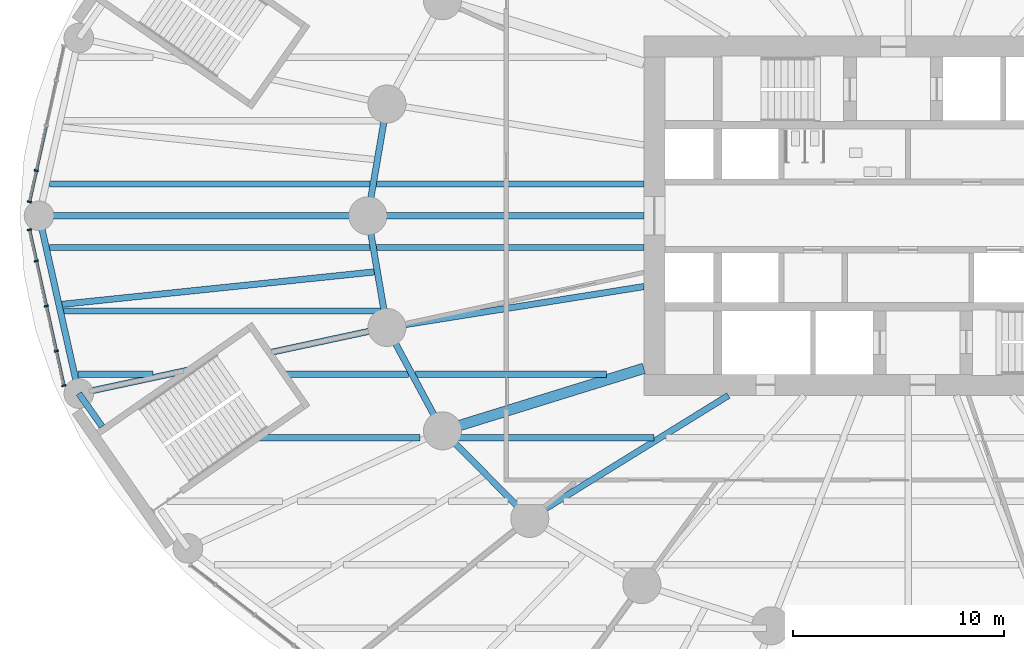
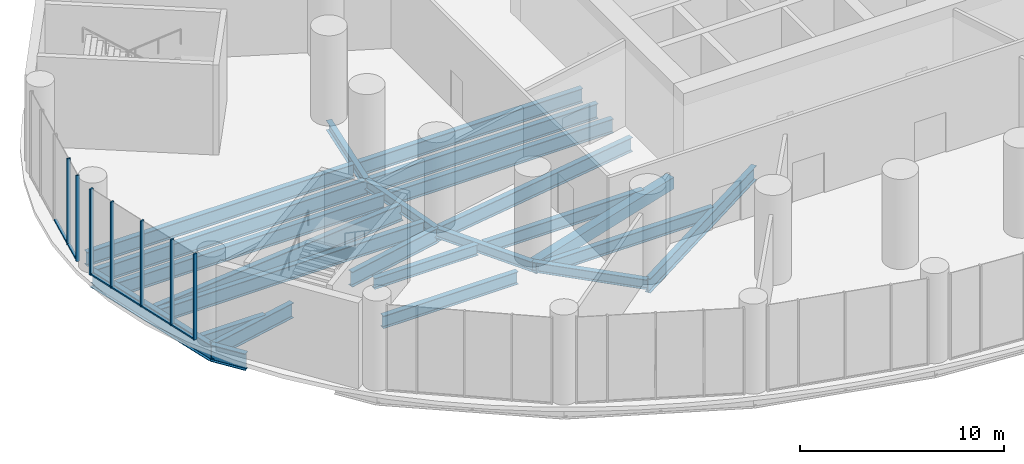
# One storey, part 3 of 21: 24 beams, 13 members, 2 elements without a shape of their own.
"""IFC4 building model written with IfcOpenShell, lengths in metres."""

from ifc_helpers import new_model, si_unit, direction, frame, origin, origin_2d, place, context, subcontext, project, spatial, rectangle, hollow_rectangle, i_section, extrude, material, material_profile, profile_set, type_object, element, aggregate, save


model = new_model("IFC4")

# Units and contexts
model_context = context("Model", 3, precision=1e-05, world=origin(), true_north=direction((0.0, 1.0)))
body_context = subcontext(model_context, "Body", "Model", "MODEL_VIEW")
ifc_project = project(units=[si_unit("LENGTHUNIT", "METRE"), si_unit("AREAUNIT", "SQUARE_METRE"), si_unit("VOLUMEUNIT", "CUBIC_METRE"), si_unit("PLANEANGLEUNIT", "RADIAN"), si_unit("MASSUNIT", "GRAM", prefix="KILO")], contexts=[model_context])

# Site, building, storey
site_placement = place(None, origin())
site = spatial("IfcSite", under=ifc_project, at=site_placement, CompositionType="ELEMENT")
building_placement = place(site_placement, origin())
building = spatial("IfcBuilding", under=site, at=building_placement, Name="Hankou Lantern Tower", CompositionType="ELEMENT")
storey_placement = place(building_placement, frame((0.0, 0.0, 13.800048828125)))
storey = spatial("IfcBuildingStorey", under=building, at=storey_placement, Name="L02", CompositionType="ELEMENT", Elevation=13.800048828125)

# Beams
ifc_material_1 = material(Name="Steel Q355B", Category="steel")
ifc_material_profile_1 = material_profile(ifc_material_1, i_section(OverallWidth=0.300048828125, OverallDepth=0.587890625, WebThickness=0.011962890625, FlangeThickness=0.02001953125, FilletRadius=0.01806640625, at=origin_2d()), Name="HM588x300x12x20")
ifc_profile_set_1 = profile_set([ifc_material_profile_1], Name="Steel Q355B")
beam_type_1 = type_object("IfcBeamType", Name="EB16 RING BEAM HM588x300x12x20", PredefinedType="SPANDREL", material=ifc_profile_set_1)
for number, where, z_axis, x_axis, name in (
    (1, (-24.64697265625, 5.283203125, -0.5439453125), (-0.168489691988, -0.985703415685, 0.0), (0.985703415685, -0.168489691988, 0.0), "Ring beam R12-R13 L02"),
    (2, (-25.550048828125, 0.0, -0.5439453125), (0.168489691988, -0.985703415685, 0.0), (0.985703415685, 0.168489691988, 0.0), "Ring beam R13-R14 L02"),
):
    element("IfcBeam", number, at=place(storey_placement, frame(where, z_axis=z_axis, x_axis=x_axis)), inside=storey, type_object=beam_type_1, Name=name, PredefinedType="SPANDREL", context=body_context, shape_type="SweptSolid", body=[
        extrude(i_section(OverallWidth=0.300048828125, OverallDepth=0.587890625, WebThickness=0.011962890625, FlangeThickness=0.02001953125, FilletRadius=0.01806640625, at=origin_2d()), origin(), (0.0, 0.0, 1.0), 5.35986328125),
    ])
beam_1_placement = place(storey_placement, frame((-24.64697265625, -5.283203125, -0.5439453125), z_axis=(0.473609096023, -0.880735161194, 0.0), x_axis=(0.880735161194, 0.473609096023, 0.0)))
element("IfcBeam", 3, at=beam_1_placement, inside=storey, type_object=beam_type_1, Name="Ring beam R14-R15 L02", PredefinedType="SPANDREL", context=body_context, shape_type="SweptSolid", body=[
    extrude(i_section(OverallWidth=0.300048828125, OverallDepth=0.587890625, WebThickness=0.011962890625, FlangeThickness=0.02001953125, FilletRadius=0.01806640625, at=origin_2d()), origin(), (0.0, 0.0, 1.0), 5.548828125),
])
beam_2_placement = place(storey_placement, frame((-22.01904296875, -10.170166015625, -0.5439453125), z_axis=(0.705727798394, -0.708483079949, 0.0), x_axis=(0.708483079949, 0.705727798394, 0.0)))
element("IfcBeam", 4, at=beam_2_placement, inside=storey, type_object=beam_type_1, Name="Ring beam R15-R16 L02", PredefinedType="SPANDREL", context=body_context, shape_type="SweptSolid", body=[
    extrude(i_section(OverallWidth=0.300048828125, OverallDepth=0.587890625, WebThickness=0.011962890625, FlangeThickness=0.02001953125, FilletRadius=0.01806640625, at=origin_2d()), origin(), (0.0, 0.0, 1.0), 5.84814453125),
])

# Curtain wall, members
ifc_material_2 = material(Name="Glass, dark grey tinted laminated", Category="glass")
curtain_wall_type = type_object("IfcCurtainWallType", Name="CWP PODIUM CURTAIN WALL", PredefinedType="USERDEFINED", material=ifc_material_2)
curtain_wall_1_placement = place(storey_placement, origin())
curtain_wall_1 = element("IfcCurtainWall", 5, at=curtain_wall_1_placement, inside=storey, type_object=curtain_wall_type, Name="CWP L02 PC09", ObjectType="PODIUM GLAZING", PredefinedType="USERDEFINED")
ifc_material_3 = material(Name="Aluminium, black anodised", Category="aluminium")
ifc_material_profile_2 = material_profile(ifc_material_3, rectangle(XDim=0.080078125, YDim=0.199951171875, at=origin_2d()), Name="MU2 80X200")
ifc_profile_set_2 = profile_set([ifc_material_profile_2], Name="Aluminium, black anodised")
member_type_1 = type_object("IfcMemberType", Name="MU2 PODIUM MULLION 80X200", PredefinedType="MULLION", material=ifc_profile_set_2)
member_1_placement = place(storey_placement, frame((-41.228515625, 2.133544921875, 0.0), z_axis=(0.0, 0.0, 1.0), x_axis=(-0.215821488116, -0.976432837049, 0.0)))
member_1 = element("IfcMember", 6, at=member_1_placement, type_object=member_type_1, Name="CWP mullion 4", PredefinedType="MULLION", context=body_context, shape_type="SweptSolid", body=[
    extrude(rectangle(XDim=0.080078125, YDim=0.199951171875, at=origin_2d()), origin(), (0.0, 0.0, 1.0), 5.14990234375),
])
member_2_placement = place(storey_placement, frame((-41.55419921875, 0.659423828125, 0.0), z_axis=(0.0, 0.0, 1.0), x_axis=(-0.215821488116, -0.976432837049, 0.0)))
member_2 = element("IfcMember", 7, at=member_2_placement, type_object=member_type_1, Name="CWP mullion 5", PredefinedType="MULLION", context=body_context, shape_type="SweptSolid", body=[
    extrude(rectangle(XDim=0.080078125, YDim=0.199951171875, at=origin_2d()), origin(), (0.0, 0.0, 1.0), 5.14990234375),
])

curtain_wall_2_placement = place(storey_placement, origin())
curtain_wall_2 = element("IfcCurtainWall", 8, at=curtain_wall_2_placement, inside=storey, type_object=curtain_wall_type, Name="CWP L02 PC10", ObjectType="PODIUM GLAZING", PredefinedType="USERDEFINED")
member_3_placement = place(storey_placement, frame((-41.55419921875, -0.659423828125, 0.0), z_axis=(0.0, 0.0, 1.0), x_axis=(0.215821488116, -0.976432837049, 0.0)))
member_3 = element("IfcMember", 9, at=member_3_placement, type_object=member_type_1, Name="CWP mullion 1", PredefinedType="MULLION", context=body_context, shape_type="SweptSolid", body=[
    extrude(rectangle(XDim=0.080078125, YDim=0.199951171875, at=origin_2d()), origin(), (0.0, 0.0, 1.0), 5.14990234375),
])
member_4_placement = place(storey_placement, frame((-41.228515625, -2.133544921875, 0.0), z_axis=(0.0, 0.0, 1.0), x_axis=(0.215821488116, -0.976432837049, 0.0)))
member_4 = element("IfcMember", 10, at=member_4_placement, type_object=member_type_1, Name="CWP mullion 2", PredefinedType="MULLION", context=body_context, shape_type="SweptSolid", body=[
    extrude(rectangle(XDim=0.080078125, YDim=0.199951171875, at=origin_2d()), origin(), (0.0, 0.0, 1.0), 5.14990234375),
])
member_5_placement = place(storey_placement, frame((-40.7568359375, -4.267333984375, 0.0), z_axis=(0.0, 0.0, 1.0), x_axis=(0.215821488116, -0.976432837049, 0.0)))
member_5 = element("IfcMember", 11, at=member_5_placement, type_object=member_type_1, Name="CWP mullion 3", PredefinedType="MULLION", context=body_context, shape_type="SweptSolid", body=[
    extrude(rectangle(XDim=0.080078125, YDim=0.199951171875, at=origin_2d()), origin(), (0.0, 0.0, 1.0), 5.14990234375),
])
member_6_placement = place(storey_placement, frame((-40.28515625, -6.40087890625, 0.0), z_axis=(0.0, 0.0, 1.0), x_axis=(0.215821488116, -0.976432837049, 0.0)))
member_6 = element("IfcMember", 12, at=member_6_placement, type_object=member_type_1, Name="CWP mullion 4", PredefinedType="MULLION", context=body_context, shape_type="SweptSolid", body=[
    extrude(rectangle(XDim=0.080078125, YDim=0.199951171875, at=origin_2d()), origin(), (0.0, 0.0, 1.0), 5.14990234375),
])
member_7_placement = place(storey_placement, frame((-39.925537109375, -8.028564453125, 0.0), z_axis=(0.0, 0.0, 1.0), x_axis=(0.215821488116, -0.976432837049, 0.0)))
member_7 = element("IfcMember", 13, at=member_7_placement, type_object=member_type_1, Name="CWP mullion 5", PredefinedType="MULLION", context=body_context, shape_type="SweptSolid", body=[
    extrude(rectangle(XDim=0.080078125, YDim=0.199951171875, at=origin_2d()), origin(), (0.0, 0.0, 1.0), 5.14990234375),
])

# Beams
ifc_material_4 = material(Name="Steel Q355B", Category="steel")
ifc_material_profile_3 = material_profile(ifc_material_4, i_section(OverallWidth=0.300048828125, OverallDepth=0.89990234375, WebThickness=0.01611328125, FlangeThickness=0.028076171875, FilletRadius=0.01806640625, at=origin_2d()), Name="HN900x300x16x28")
ifc_profile_set_3 = profile_set([ifc_material_profile_3], Name="Steel Q355B")
beam_type_2 = type_object("IfcBeamType", Name="PB13 PODIUM RADIAL BEAM HN900x300x16x28", PredefinedType="BEAM", material=ifc_profile_set_3)
beam_3_placement = place(storey_placement, frame((-25.550048828125, 0.0, -0.699951171875), z_axis=(-1.0, 0.0, 0.0), x_axis=(0.0, -1.0, 0.0)))
element("IfcBeam", 14, at=beam_3_placement, inside=storey, type_object=beam_type_2, Name="Podium radial beam R13 L02", PredefinedType="BEAM", context=body_context, shape_type="SweptSolid", body=[
    extrude(i_section(OverallWidth=0.300048828125, OverallDepth=0.89990234375, WebThickness=0.01611328125, FlangeThickness=0.028076171875, FilletRadius=0.01806640625, at=origin_2d()), origin(), (0.0, 0.0, 1.0), 15.550048828125),
])
beam_4_placement = place(storey_placement, frame((-24.64697265625, -5.283203125, -0.699951171875), z_axis=(-0.977787338777, -0.209599427782, 0.0), x_axis=(0.209599427782, -0.977787338777, 0.0)))
element("IfcBeam", 15, at=beam_4_placement, inside=storey, type_object=beam_type_2, Name="Podium radial beam R14 L02 inner part", PredefinedType="BEAM", context=body_context, shape_type="SweptSolid", body=[
    extrude(i_section(OverallWidth=0.300048828125, OverallDepth=0.89990234375, WebThickness=0.01611328125, FlangeThickness=0.028076171875, FilletRadius=0.01806640625, at=origin_2d()), origin(), (0.0, 0.0, 1.0), 5.68896484375),
])
beam_5_placement = place(storey_placement, frame((-34.01025390625, -7.29052734375, -0.699951171875), z_axis=(-0.977788323488, -0.209594834028, 0.0), x_axis=(0.209594834028, -0.977788323488, 0.0)))
element("IfcBeam", 16, at=beam_5_placement, inside=storey, type_object=beam_type_2, Name="Podium radial beam R14 L02 outer part", PredefinedType="BEAM", context=body_context, shape_type="SweptSolid", body=[
    extrude(i_section(OverallWidth=0.300048828125, OverallDepth=0.89990234375, WebThickness=0.01611328125, FlangeThickness=0.028076171875, FilletRadius=0.01806640625, at=origin_2d()), origin(), (0.0, 0.0, 1.0), 5.32568359375),
])
ifc_material_5 = material(Name="Steel Q355B", Category="steel")
ifc_material_profile_4 = material_profile(ifc_material_5, i_section(OverallWidth=0.300048828125, OverallDepth=1.0, WebThickness=0.01904296875, FlangeThickness=0.035888671875, FilletRadius=0.01806640625, at=origin_2d()), Name="HN1000x300x19x36")
ifc_profile_set_4 = profile_set([ifc_material_profile_4], Name="Steel Q355B")
beam_type_3 = type_object("IfcBeamType", Name="PR22 PODIUM RING BEAM HN1000x300x19x36", PredefinedType="BEAM", material=ifc_profile_set_4)
beam_6_placement = place(storey_placement, frame((-41.10009765625, 0.0, -0.75), z_axis=(0.218523498172, -0.975831686689, 0.0), x_axis=(0.975831686689, 0.218523498172, 0.0)))
element("IfcBeam", 17, at=beam_6_placement, inside=storey, type_object=beam_type_3, Name="Podium ring beam R13-R14 L02", PredefinedType="BEAM", context=body_context, shape_type="SweptSolid", body=[
    extrude(i_section(OverallWidth=0.300048828125, OverallDepth=1.0, WebThickness=0.01904296875, FlangeThickness=0.035888671875, FilletRadius=0.01806640625, at=origin_2d()), origin(), (0.0, 0.0, 1.0), 8.614990234375),
])
beam_7_placement = place(storey_placement, frame((-39.217529296875, -8.40673828125, -0.75), z_axis=(0.576019631526, -0.817435859317, 0.0), x_axis=(0.817435859317, 0.576019631526, 0.0)))
element("IfcBeam", 18, at=beam_7_placement, inside=storey, type_object=beam_type_3, Name="Podium ring beam R14-R15 L02 west part", PredefinedType="BEAM", context=body_context, shape_type="SweptSolid", body=[
    extrude(i_section(OverallWidth=0.300048828125, OverallDepth=1.0, WebThickness=0.01904296875, FlangeThickness=0.035888671875, FilletRadius=0.01806640625, at=origin_2d()), origin(), (0.0, 0.0, 1.0), 1.9072265625),
])
ifc_material_6 = material(Name="Steel Q355B", Category="steel")
ifc_material_profile_5 = material_profile(ifc_material_6, i_section(OverallWidth=0.300048828125, OverallDepth=1.0, WebThickness=0.01904296875, FlangeThickness=0.035888671875, FilletRadius=0.01806640625, at=origin_2d()), Name="HN1000x300x19x36")
ifc_profile_set_5 = profile_set([ifc_material_profile_5], Name="Steel Q355B")
beam_type_4 = type_object("IfcBeamType", Name="PS22 PODIUM SECONDARY BEAM HN1000x300x19x36", PredefinedType="JOIST", material=ifc_profile_set_5)
beam_8_placement = place(storey_placement, frame((-25.098388671875, -2.6416015625, -0.75), z_axis=(-0.994666039581, -0.103147805132, 0.0), x_axis=(0.103147805132, -0.994666039581, 0.0)))
element("IfcBeam", 19, at=beam_8_placement, inside=storey, type_object=beam_type_4, Name="Podium secondary beam bay R13 L02", PredefinedType="JOIST", context=body_context, shape_type="SweptSolid", body=[
    extrude(i_section(OverallWidth=0.300048828125, OverallDepth=1.0, WebThickness=0.01904296875, FlangeThickness=0.035888671875, FilletRadius=0.01806640625, at=origin_2d()), origin(), (0.0, 0.0, 1.0), 15.14111328125),
])
ifc_material_7 = material(Name="Steel Q355B", Category="steel")
ifc_material_profile_6 = material_profile(ifc_material_7, i_section(OverallWidth=0.300048828125, OverallDepth=0.85009765625, WebThickness=0.01611328125, FlangeThickness=0.027099609375, FilletRadius=0.01806640625, at=origin_2d()), Name="HN850x300x16x27")
ifc_profile_set_6 = profile_set([ifc_material_profile_6], Name="Steel Q355B")
beam_type_5 = type_object("IfcBeamType", Name="RB12 RADIAL BEAM HN850x300x16x27", PredefinedType="BEAM", material=ifc_profile_set_6)
beam_9_placement = place(storey_placement, frame((-12.5, -3.349365234375, -0.675048828125), z_axis=(-0.987563081343, -0.157223281893, 0.0), x_axis=(0.157223281893, -0.987563081343, 0.0)))
element("IfcBeam", 20, at=beam_9_placement, inside=storey, type_object=beam_type_5, Name="Radial beam R14 L02", PredefinedType="BEAM", context=body_context, shape_type="SweptSolid", body=[
    extrude(i_section(OverallWidth=0.300048828125, OverallDepth=0.85009765625, WebThickness=0.01611328125, FlangeThickness=0.027099609375, FilletRadius=0.01806640625, at=origin_2d()), origin(), (0.0, 0.0, 1.0), 12.300048828125),
])
beam_10_placement = place(storey_placement, frame((-8.5, -8.5, -0.675048828125), z_axis=(-0.850286343288, -0.526320372414, 0.0), x_axis=(0.526320372414, -0.850286343288, 0.0)))
element("IfcBeam", 21, at=beam_10_placement, inside=storey, type_object=beam_type_5, Name="Radial beam R16 L02", PredefinedType="BEAM", context=body_context, shape_type="SweptSolid", body=[
    extrude(i_section(OverallWidth=0.300048828125, OverallDepth=0.85009765625, WebThickness=0.01611328125, FlangeThickness=0.027099609375, FilletRadius=0.01806640625, at=origin_2d()), origin(), (0.0, 0.0, 1.0), 11.04541015625),
])
ifc_material_8 = material(Name="Steel Q355B", Category="steel")
ifc_material_profile_7 = material_profile(ifc_material_8, i_section(OverallWidth=0.300048828125, OverallDepth=0.89990234375, WebThickness=0.01611328125, FlangeThickness=0.028076171875, FilletRadius=0.01806640625, at=origin_2d()), Name="HN900x300x16x28")
ifc_profile_set_7 = profile_set([ifc_material_profile_7], Name="Steel Q355B")
beam_type_6 = type_object("IfcBeamType", Name="RB13 RADIAL BEAM HN900x300x16x28", PredefinedType="BEAM", material=ifc_profile_set_7)
beam_11_placement = place(storey_placement, frame((-12.5, 0.0, -0.699951171875), z_axis=(-1.0, 0.0, 0.0), x_axis=(0.0, -1.0, 0.0)))
element("IfcBeam", 22, at=beam_11_placement, inside=storey, type_object=beam_type_6, Name="Radial beam R13 L02", PredefinedType="BEAM", context=body_context, shape_type="SweptSolid", body=[
    extrude(i_section(OverallWidth=0.300048828125, OverallDepth=0.89990234375, WebThickness=0.01611328125, FlangeThickness=0.028076171875, FilletRadius=0.01806640625, at=origin_2d()), origin(), (0.0, 0.0, 1.0), 13.050048828125),
])
ifc_material_9 = material(Name="Steel Q355B", Category="steel")
ifc_material_profile_8 = material_profile(ifc_material_9, hollow_rectangle(XDim=0.5, YDim=0.699951171875, WallThickness=0.0400390625, at=origin_2d()), Name="BOX700x500x40")
ifc_profile_set_8 = profile_set([ifc_material_profile_8], Name="Steel Q355B")
beam_type_7 = type_object("IfcBeamType", Name="RB25 RADIAL BEAM BOX700x500x40", PredefinedType="BEAM", material=ifc_profile_set_8)
beam_12_placement = place(storey_placement, frame((-12.5, -7.216796875, -0.60009765625), z_axis=(-0.955087327755, -0.29632447817, 0.0), x_axis=(0.29632447817, -0.955087327755, 0.0)))
element("IfcBeam", 23, at=beam_12_placement, inside=storey, type_object=beam_type_7, Name="Radial beam R15 L02", PredefinedType="BEAM", context=body_context, shape_type="SweptSolid", body=[
    extrude(hollow_rectangle(XDim=0.5, YDim=0.699951171875, WallThickness=0.0400390625, at=origin_2d()), origin(), (0.0, 0.0, 1.0), 9.966552734375),
])
ifc_material_10 = material(Name="Steel Q355B", Category="steel")
ifc_material_profile_9 = material_profile(ifc_material_10, i_section(OverallWidth=0.300048828125, OverallDepth=0.75, WebThickness=0.012939453125, FlangeThickness=0.02392578125, FilletRadius=0.01806640625, at=origin_2d()), Name="HN750x300x13x24")
ifc_profile_set_9 = profile_set([ifc_material_profile_9], Name="Steel Q355B")
beam_type_8 = type_object("IfcBeamType", Name="SB10 SECONDARY BEAM HN750x300x13x24", PredefinedType="JOIST", material=ifc_profile_set_9)
beam_13_placement = place(storey_placement, frame((-30.743896484375, -10.5, -0.625), z_axis=(1.0, 0.0, 0.0), x_axis=(0.0, 1.0, 0.0)))
element("IfcBeam", 24, at=beam_13_placement, inside=storey, type_object=beam_type_8, Name="Floor joist J059 L02", PredefinedType="JOIST", context=body_context, shape_type="SweptSolid", body=[
    extrude(i_section(OverallWidth=0.300048828125, OverallDepth=0.75, WebThickness=0.012939453125, FlangeThickness=0.02392578125, FilletRadius=0.01806640625, at=origin_2d()), origin(), (0.0, 0.0, 1.0), 7.653076171875),
])
beam_14_placement = place(storey_placement, frame((-21.478759765625, -10.5, -0.625), z_axis=(1.0, 0.0, 0.0), x_axis=(0.0, 1.0, 0.0)))
element("IfcBeam", 25, at=beam_14_placement, inside=storey, type_object=beam_type_8, Name="Floor joist J060 L02", PredefinedType="JOIST", context=body_context, shape_type="SweptSolid", body=[
    extrude(i_section(OverallWidth=0.300048828125, OverallDepth=0.75, WebThickness=0.012939453125, FlangeThickness=0.02392578125, FilletRadius=0.01806640625, at=origin_2d()), origin(), (0.0, 0.0, 1.0), 9.462646484375),
])
beam_15_placement = place(storey_placement, frame((-23.28466796875, -7.5, -0.625), z_axis=(1.0, 0.0, 0.0), x_axis=(0.0, 1.0, 0.0)))
element("IfcBeam", 26, at=beam_15_placement, inside=storey, type_object=beam_type_8, Name="Floor joist J071 L02", PredefinedType="JOIST", context=body_context, shape_type="SweptSolid", body=[
    extrude(i_section(OverallWidth=0.300048828125, OverallDepth=0.75, WebThickness=0.012939453125, FlangeThickness=0.02392578125, FilletRadius=0.01806640625, at=origin_2d()), origin(), (0.0, 0.0, 1.0), 9.0283203125),
])
ifc_material_11 = material(Name="Steel Q355B", Category="steel")
ifc_material_profile_10 = material_profile(ifc_material_11, i_section(OverallWidth=0.300048828125, OverallDepth=0.85009765625, WebThickness=0.01611328125, FlangeThickness=0.027099609375, FilletRadius=0.01806640625, at=origin_2d()), Name="HN850x300x16x27")
ifc_profile_set_10 = profile_set([ifc_material_profile_10], Name="Steel Q355B")
beam_type_9 = type_object("IfcBeamType", Name="SB12 SECONDARY BEAM HN850x300x16x27", PredefinedType="JOIST", material=ifc_profile_set_10)
beam_16_placement = place(storey_placement, frame((-39.938720703125, -4.5, -0.675048828125), z_axis=(1.0, 0.0, 0.0), x_axis=(0.0, 1.0, 0.0)))
element("IfcBeam", 27, at=beam_16_placement, inside=storey, type_object=beam_type_9, Name="Floor joist J075 L02", PredefinedType="JOIST", context=body_context, shape_type="SweptSolid", body=[
    extrude(i_section(OverallWidth=0.300048828125, OverallDepth=0.85009765625, WebThickness=0.01611328125, FlangeThickness=0.027099609375, FilletRadius=0.01806640625, at=origin_2d()), origin(), (0.0, 0.0, 1.0), 15.005615234375),
])
beam_17_placement = place(storey_placement, frame((-40.6103515625, -1.5, -0.675048828125), z_axis=(1.0, 0.0, 0.0), x_axis=(0.0, 1.0, 0.0)))
element("IfcBeam", 28, at=beam_17_placement, inside=storey, type_object=beam_type_9, Name="Floor joist J081 L02", PredefinedType="JOIST", context=body_context, shape_type="SweptSolid", body=[
    extrude(i_section(OverallWidth=0.300048828125, OverallDepth=0.85009765625, WebThickness=0.01611328125, FlangeThickness=0.027099609375, FilletRadius=0.01806640625, at=origin_2d()), origin(), (0.0, 0.0, 1.0), 15.16455078125),
])
beam_18_placement = place(storey_placement, frame((-25.141357421875, -1.5, -0.675048828125), z_axis=(1.0, 0.0, 0.0), x_axis=(0.0, 1.0, 0.0)))
element("IfcBeam", 29, at=beam_18_placement, inside=storey, type_object=beam_type_9, Name="Floor joist J082 L02", PredefinedType="JOIST", context=body_context, shape_type="SweptSolid", body=[
    extrude(i_section(OverallWidth=0.300048828125, OverallDepth=0.85009765625, WebThickness=0.01611328125, FlangeThickness=0.027099609375, FilletRadius=0.01806640625, at=origin_2d()), origin(), (0.0, 0.0, 1.0), 12.641357421875),
])
beam_19_placement = place(storey_placement, frame((-40.6103515625, 1.5, -0.675048828125), z_axis=(1.0, 0.0, 0.0), x_axis=(0.0, 1.0, 0.0)))
element("IfcBeam", 30, at=beam_19_placement, inside=storey, type_object=beam_type_9, Name="Floor joist J085 L02", PredefinedType="JOIST", context=body_context, shape_type="SweptSolid", body=[
    extrude(i_section(OverallWidth=0.300048828125, OverallDepth=0.85009765625, WebThickness=0.01611328125, FlangeThickness=0.027099609375, FilletRadius=0.01806640625, at=origin_2d()), origin(), (0.0, 0.0, 1.0), 15.16455078125),
])
beam_20_placement = place(storey_placement, frame((-25.141357421875, 1.5, -0.675048828125), z_axis=(1.0, 0.0, 0.0), x_axis=(0.0, 1.0, 0.0)))
element("IfcBeam", 31, at=beam_20_placement, inside=storey, type_object=beam_type_9, Name="Floor joist J086 L02", PredefinedType="JOIST", context=body_context, shape_type="SweptSolid", body=[
    extrude(i_section(OverallWidth=0.300048828125, OverallDepth=0.85009765625, WebThickness=0.01611328125, FlangeThickness=0.027099609375, FilletRadius=0.01806640625, at=origin_2d()), origin(), (0.0, 0.0, 1.0), 12.641357421875),
])
ifc_material_12 = material(Name="Steel Q355B", Category="steel")
ifc_material_profile_11 = material_profile(ifc_material_12, i_section(OverallWidth=0.300048828125, OverallDepth=0.64990234375, WebThickness=0.010986328125, FlangeThickness=0.01708984375, FilletRadius=0.01806640625, at=origin_2d()), Name="HN650x300x11x17")
ifc_profile_set_11 = profile_set([ifc_material_profile_11], Name="Steel Q355B")
beam_type_10 = type_object("IfcBeamType", Name="SB8 SECONDARY BEAM HN650x300x11x17", PredefinedType="JOIST", material=ifc_profile_set_11)
beam_21_placement = place(storey_placement, frame((-39.266845703125, -7.5, -0.574951171875), z_axis=(1.0, 0.0, 0.0), x_axis=(0.0, 1.0, 0.0)))
element("IfcBeam", 32, at=beam_21_placement, inside=storey, type_object=beam_type_10, Name="Floor joist J069 L02", PredefinedType="JOIST", context=body_context, shape_type="SweptSolid", body=[
    extrude(i_section(OverallWidth=0.300048828125, OverallDepth=0.64990234375, WebThickness=0.010986328125, FlangeThickness=0.01708984375, FilletRadius=0.01806640625, at=origin_2d()), origin(), (0.0, 0.0, 1.0), 3.563232421875),
])
beam_22_placement = place(storey_placement, frame((-29.496826171875, -7.5, -0.574951171875), z_axis=(1.0, 0.0, 0.0), x_axis=(0.0, 1.0, 0.0)))
element("IfcBeam", 33, at=beam_22_placement, inside=storey, type_object=beam_type_10, Name="Floor joist J070 L02", PredefinedType="JOIST", context=body_context, shape_type="SweptSolid", body=[
    extrude(i_section(OverallWidth=0.300048828125, OverallDepth=0.64990234375, WebThickness=0.010986328125, FlangeThickness=0.01708984375, FilletRadius=0.01806640625, at=origin_2d()), origin(), (0.0, 0.0, 1.0), 5.87158203125),
])

# Member
ifc_material_13 = material(Name="Aluminium, black anodised", Category="aluminium")
ifc_material_profile_12 = material_profile(ifc_material_13, rectangle(XDim=0.14990234375, YDim=0.080078125, at=origin_2d()), Name="TR2 150X80")
ifc_profile_set_12 = profile_set([ifc_material_profile_12], Name="Aluminium, black anodised")
member_type_2 = type_object("IfcMemberType", Name="TR2 PODIUM TRANSOM 150X80", PredefinedType="USERDEFINED", material=ifc_profile_set_12)
member_8_placement = place(storey_placement, frame((-40.765380859375, 4.228271484375, 0.0400390625), z_axis=(-0.215812948044, -0.976434724627, 0.0), x_axis=(0.976434724627, -0.215812948044, 0.0)))
member_8 = element("IfcMember", 34, at=member_8_placement, type_object=member_type_2, Name="CWP transom 3", ObjectType="TRANSOM", PredefinedType="USERDEFINED", context=body_context, shape_type="SweptSolid", body=[
    extrude(rectangle(XDim=0.14990234375, YDim=0.080078125, at=origin_2d()), origin(), (0.0, 0.0, 1.0), 2.105224609375),
])

member_9_placement = place(storey_placement, frame((-41.237060546875, 2.094482421875, 0.0400390625), z_axis=(-0.215845471344, -0.976427535714, 0.0), x_axis=(0.976427535714, -0.215845471344, 0.0)))
member_9 = element("IfcMember", 35, at=member_9_placement, type_object=member_type_2, Name="CWP transom 4", ObjectType="TRANSOM", PredefinedType="USERDEFINED", context=body_context, shape_type="SweptSolid", body=[
    extrude(rectangle(XDim=0.14990234375, YDim=0.080078125, at=origin_2d()), origin(), (0.0, 0.0, 1.0), 1.4296875),
])

aggregate(curtain_wall_1, [member_1, member_2, member_8, member_9])

member_10_placement = place(storey_placement, frame((-41.545654296875, -0.698486328125, 0.0400390625), z_axis=(0.215845471344, -0.976427535714, 0.0), x_axis=(0.976427535714, 0.215845471344, 0.0)))
member_10 = element("IfcMember", 36, at=member_10_placement, type_object=member_type_2, Name="CWP transom 1", ObjectType="TRANSOM", PredefinedType="USERDEFINED", context=body_context, shape_type="SweptSolid", body=[
    extrude(rectangle(XDim=0.14990234375, YDim=0.080078125, at=origin_2d()), origin(), (0.0, 0.0, 1.0), 1.4296875),
])

member_11_placement = place(storey_placement, frame((-41.2197265625, -2.172607421875, 0.0400390625), z_axis=(0.215812948044, -0.976434724627, 0.0), x_axis=(0.976434724627, 0.215812948044, 0.0)))
member_11 = element("IfcMember", 37, at=member_11_placement, type_object=member_type_2, Name="CWP transom 2", ObjectType="TRANSOM", PredefinedType="USERDEFINED", context=body_context, shape_type="SweptSolid", body=[
    extrude(rectangle(XDim=0.14990234375, YDim=0.080078125, at=origin_2d()), origin(), (0.0, 0.0, 1.0), 2.105224609375),
])

member_12_placement = place(storey_placement, frame((-40.748291015625, -4.30615234375, 0.0400390625), z_axis=(0.215812948044, -0.976434724627, 0.0), x_axis=(0.976434724627, 0.215812948044, 0.0)))
member_12 = element("IfcMember", 38, at=member_12_placement, type_object=member_type_2, Name="CWP transom 3", ObjectType="TRANSOM", PredefinedType="USERDEFINED", context=body_context, shape_type="SweptSolid", body=[
    extrude(rectangle(XDim=0.14990234375, YDim=0.080078125, at=origin_2d()), origin(), (0.0, 0.0, 1.0), 2.105224609375),
])

member_13_placement = place(storey_placement, frame((-40.276611328125, -6.43994140625, 0.0400390625), z_axis=(0.215838955929, -0.976428975965, 0.0), x_axis=(0.976428975965, 0.215838955929, 0.0)))
member_13 = element("IfcMember", 39, at=member_13_placement, type_object=member_type_2, Name="CWP transom 4", ObjectType="TRANSOM", PredefinedType="USERDEFINED", context=body_context, shape_type="SweptSolid", body=[
    extrude(rectangle(XDim=0.14990234375, YDim=0.080078125, at=origin_2d()), origin(), (0.0, 0.0, 1.0), 1.5869140625),
])

aggregate(curtain_wall_2, [member_3, member_4, member_5, member_6, member_7, member_10, member_11, member_12, member_13])

save(model, "model.ifc")
